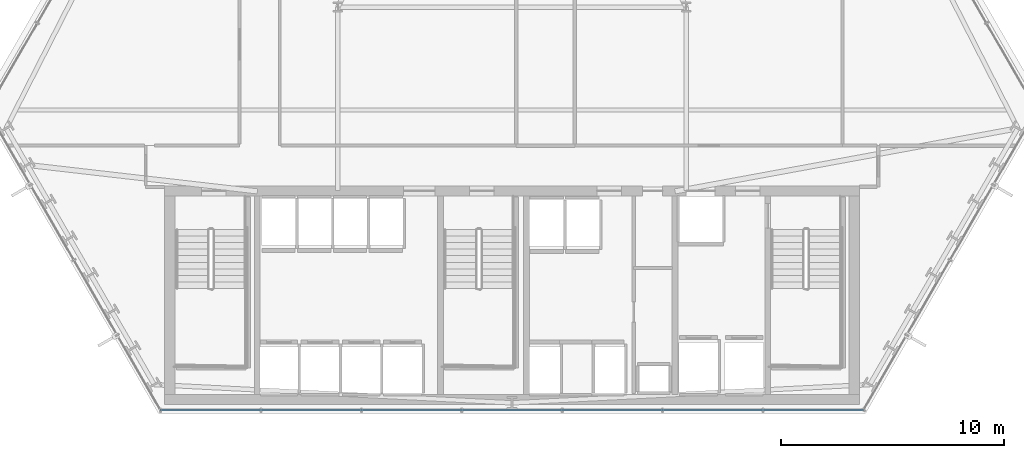
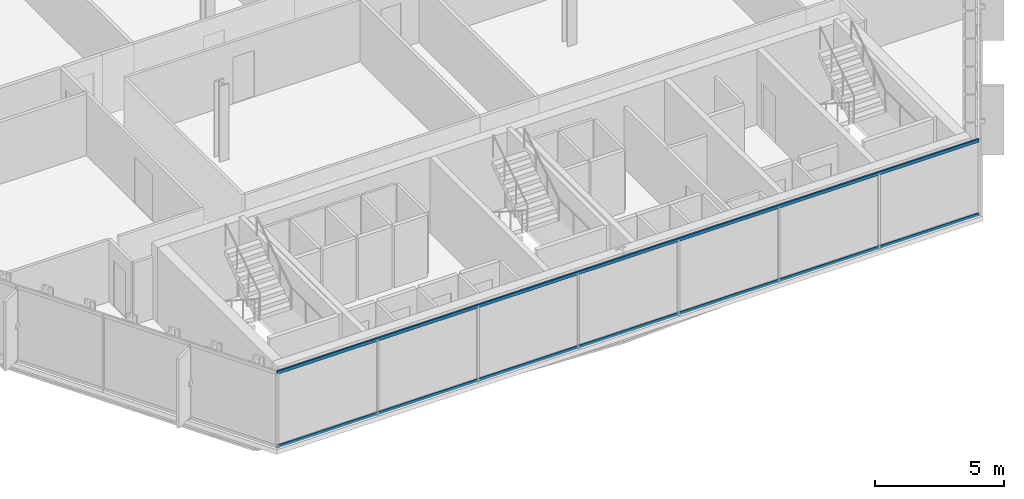
# One storey, part 8 of 32: 2 members, 1 element without a shape of its own.
"""IFC4 building model written with IfcOpenShell, lengths in metres."""

from ifc_helpers import new_model, si_unit, direction, frame, origin, origin_2d, place, context, subcontext, project, spatial, hollow_rectangle, extrude, material, layer, layer_set, material_profile, profile_set, type_object, element, aggregate, save


model = new_model("IFC4")

# Units and contexts
model_context = context("Model", 3, precision=1e-05, world=origin(), true_north=direction((0.0, 1.0)))
body_context = subcontext(model_context, "Body", "Model", "MODEL_VIEW")
ifc_project = project(units=[si_unit("LENGTHUNIT", "METRE"), si_unit("AREAUNIT", "SQUARE_METRE"), si_unit("VOLUMEUNIT", "CUBIC_METRE"), si_unit("PLANEANGLEUNIT", "RADIAN"), si_unit("MASSUNIT", "GRAM", prefix="KILO")], contexts=[model_context])

# Site, building, storey
site_placement = place(None, origin())
site = spatial("IfcSite", under=ifc_project, at=site_placement, CompositionType="ELEMENT")
building_placement = place(site_placement, origin())
building = spatial("IfcBuilding", under=site, at=building_placement, Name="Ndaravel Arena Tower", CompositionType="ELEMENT")
storey_placement = place(building_placement, frame((0.0, 0.0, 58.800048828125)))
storey = spatial("IfcBuildingStorey", under=building, at=storey_placement, Name="L12", CompositionType="ELEMENT", Elevation=58.800048828125)

# Curtain wall, members
ifc_material_1 = material(Name="Aluminium", Category="aluminium")
ifc_layer = layer(ifc_material_1, 0.179931640625)
ifc_layer_set = layer_set([ifc_layer], Name="Aluminium")
curtain_wall_type = type_object("IfcCurtainWallType", Name="CW-SYS-03", PredefinedType="NOTDEFINED", material=ifc_layer_set)
curtain_wall_placement = place(storey_placement, origin())
curtain_wall = element("IfcCurtainWall", 1, at=curtain_wall_placement, inside=storey, type_object=curtain_wall_type, Name="L12 Faceted Crystal Curtain Wall CW-L12-E01", PredefinedType="NOTDEFINED")
ifc_material_2 = material(Name="Aluminium", Category="aluminium")
ifc_material_profile = material_profile(ifc_material_2, hollow_rectangle(XDim=0.074951171875, YDim=0.14990234375, WallThickness=0.00390625, at=origin_2d()), Name="CW TRANSOM 75x150x4")
ifc_profile_set = profile_set([ifc_material_profile], Name="Aluminium")
member_type = type_object("IfcMemberType", Name="MEM-CW-TRN150", PredefinedType="USERDEFINED", material=ifc_profile_set)
member_1_placement = place(storey_placement, frame((26.264892578125, 5.159912109375, 0.0400390625), z_axis=(1.0, 0.0, 0.0), x_axis=(0.0, 1.0, 0.0)))
member_1 = element("IfcMember", 2, at=member_1_placement, type_object=member_type, Name="CW-L12-E01 Transom 01", ObjectType="TRANSOM", PredefinedType="USERDEFINED", context=body_context, shape_type="SweptSolid", body=[
    extrude(hollow_rectangle(XDim=0.074951171875, YDim=0.14990234375, WallThickness=0.00390625, at=origin_2d()), origin(), (0.0, 0.0, 1.0), 31.47021484375),
])
member_2_placement = place(storey_placement, frame((26.264892578125, 5.159912109375, 3.5400390625), z_axis=(1.0, 0.0, 0.0), x_axis=(0.0, 1.0, 0.0)))
member_2 = element("IfcMember", 3, at=member_2_placement, type_object=member_type, Name="CW-L12-E01 Transom 02", ObjectType="TRANSOM", PredefinedType="USERDEFINED", context=body_context, shape_type="SweptSolid", body=[
    extrude(hollow_rectangle(XDim=0.074951171875, YDim=0.14990234375, WallThickness=0.00390625, at=origin_2d()), origin(), (0.0, 0.0, 1.0), 31.47021484375),
])
aggregate(curtain_wall, [member_1, member_2])

save(model, "model.ifc")
